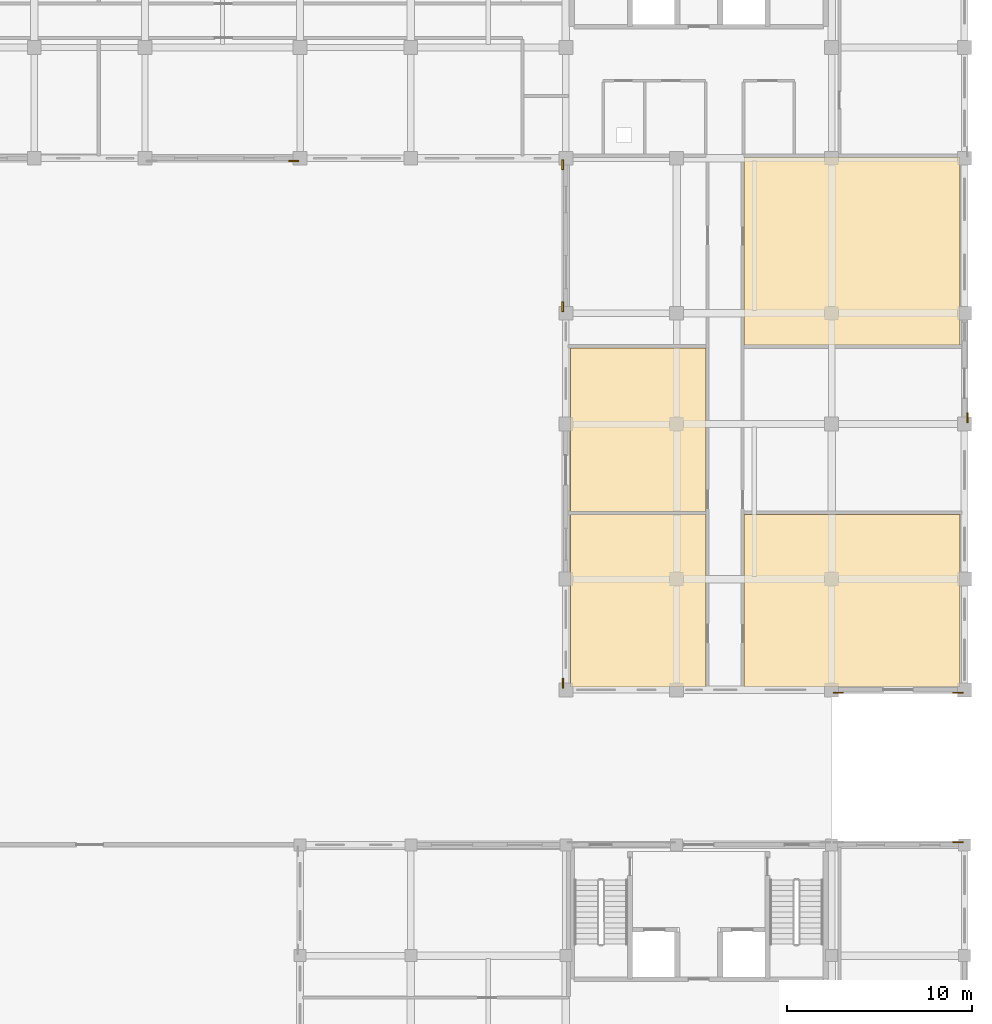
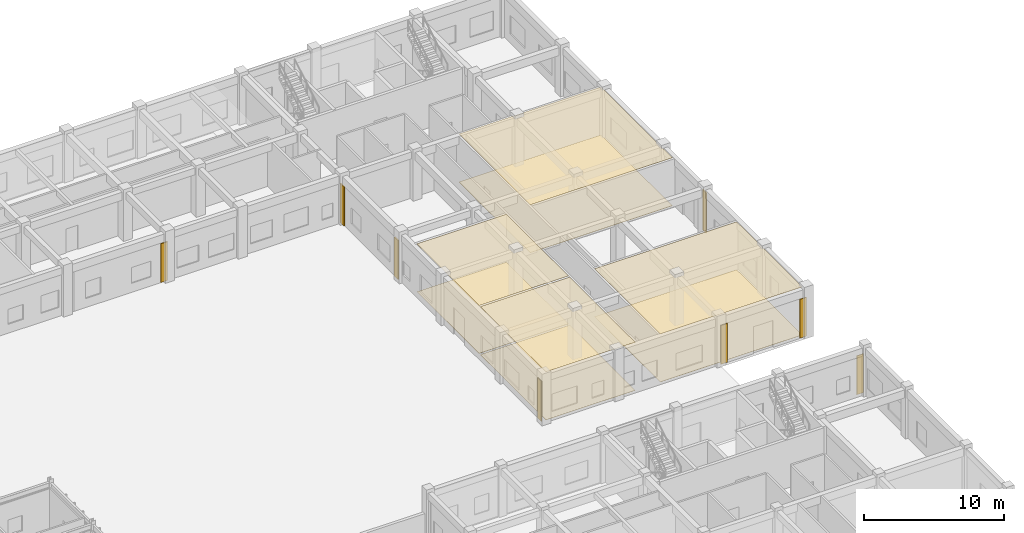
# One storey, part 65 of 67: 16 coverings.
"""IFC4 building model written with IfcOpenShell, lengths in metres."""

from ifc_helpers import new_model, si_unit, direction, frame, origin, origin_2d, place, context, subcontext, project, spatial, polyline, rectangle, outline, extrude, material, layer, layer_set, type_object, element, save


model = new_model("IFC4")

# Units and contexts
model_context = context("Model", 3, precision=1e-05, world=origin(), true_north=direction((0.0, 1.0)))
body_context = subcontext(model_context, "Body", "Model", "MODEL_VIEW")
ifc_project = project(units=[si_unit("LENGTHUNIT", "METRE"), si_unit("AREAUNIT", "SQUARE_METRE"), si_unit("VOLUMEUNIT", "CUBIC_METRE"), si_unit("PLANEANGLEUNIT", "RADIAN"), si_unit("MASSUNIT", "GRAM", prefix="KILO"), si_unit("THERMODYNAMICTEMPERATUREUNIT", "KELVIN")], contexts=[model_context])

# Site, building, storey
site_placement = place(None, origin())
site = spatial("IfcSite", under=ifc_project, at=site_placement, CompositionType="ELEMENT")
building_placement = place(site_placement, origin())
building = spatial("IfcBuilding", under=site, at=building_placement, Name="Thalorik Housing Commons", CompositionType="ELEMENT")
storey_placement = place(building_placement, origin())
storey = spatial("IfcBuildingStorey", under=building, at=storey_placement, Name="L00", CompositionType="ELEMENT", Elevation=0.0)

# Coverings
ifc_material_1 = material(Name="Cobalt blue glazed ceramic facade tile panel", Category="masonry")
ifc_layer_1 = layer(ifc_material_1, 0.06005859375, Name="Cobalt blue glazed ceramic facade tile panel", Category="masonry")
ifc_layer_set_1 = layer_set([ifc_layer_1], Name="Cobalt blue glazed ceramic facade tile panel")
covering_type_1 = type_object("IfcCoveringType", Name="ARC-CLD-BLU-60", PredefinedType="CLADDING", material=ifc_layer_set_1)
covering_1_placement = place(storey_placement, frame((137.64990234375, 109.050537109375, 0.0498046875), z_axis=(0.0, 0.0, 1.0), x_axis=(1.0, 0.0, 0.0)))
element("IfcCovering", 1, at=covering_1_placement, inside=storey, type_object=covering_type_1, Name="L00 Architectural Facade Cladding 1490", PredefinedType="CLADDING", context=body_context, shape_type="SweptSolid", body=[
    extrude(rectangle(XDim=0.550048828125, YDim=0.06005859375, at=origin_2d()), origin(), (0.0, 0.0, 1.0), 3.385009765625),
])
ifc_material_2 = material(Name="Precast concrete C40/50", Category="concrete")
ifc_layer_2 = layer(ifc_material_2, 0.074951171875, Name="Precast concrete C40/50", Category="concrete")
ifc_layer_set_2 = layer_set([ifc_layer_2], Name="Precast concrete C40/50")
covering_type_2 = type_object("IfcCoveringType", Name="ARC-CLD-PIER-75", PredefinedType="CLADDING", material=ifc_layer_set_2)
covering_2_placement = place(storey_placement, frame((174.156982421875, 95.14990234375, 0.0498046875), z_axis=(0.0, 0.0, 1.0), x_axis=(0.0, 1.0, 0.0)))
element("IfcCovering", 2, at=covering_2_placement, inside=storey, type_object=covering_type_2, Name="L00 Architectural Facade Cladding 1496", PredefinedType="CLADDING", context=body_context, shape_type="SweptSolid", body=[
    extrude(rectangle(XDim=0.550048828125, YDim=0.074951171875, at=origin_2d()), origin(), (0.0, 0.0, 1.0), 3.485107421875),
])
ifc_layer_3 = layer(ifc_material_2, 0.090087890625, Name="Precast concrete C40/50", Category="concrete")
ifc_layer_set_3 = layer_set([ifc_layer_3], Name="Precast concrete C40/50")
covering_type_3 = type_object("IfcCoveringType", Name="ARC-CLD-PIER-90", PredefinedType="CLADDING", material=ifc_layer_set_3)
for number, where, z_axis, x_axis, name in (
    (3, (152.235595703125, 108.85009765625, 0.0498046875), (0.0, 0.0, 1.0), (0.0, -1.0, 0.0), "L00 Architectural Facade Cladding 1491"),
    (4, (152.235595703125, 101.14990234375, 0.0498046875), (0.0, 0.0, 1.0), (0.0, -1.0, 0.0), "L00 Architectural Facade Cladding 1492"),
):
    element("IfcCovering", number, at=place(storey_placement, frame(where, z_axis=z_axis, x_axis=x_axis)), inside=storey, type_object=covering_type_3, Name=name, PredefinedType="CLADDING", context=body_context, shape_type="SweptSolid", body=[
        extrude(rectangle(XDim=0.550048828125, YDim=0.090087890625, at=origin_2d()), origin(), (0.0, 0.0, 1.0), 3.385009765625),
    ])
ifc_material_3 = material(Name="Terracotta red mineral fibre-cement panel", Category="masonry")
ifc_layer_4 = layer(ifc_material_3, 0.054931640625, Name="Terracotta red mineral fibre-cement panel", Category="masonry")
ifc_layer_set_4 = layer_set([ifc_layer_4], Name="Terracotta red mineral fibre-cement panel")
covering_type_4 = type_object("IfcCoveringType", Name="ARC-CLD-RED-55", PredefinedType="CLADDING", material=ifc_layer_set_4)
for number, where, z_axis, x_axis, name in (
    (5, (167.14990234375, 80.2529296875, 0.0498046875), (0.0, 0.0, 1.0), (1.0, 0.0, 0.0), "L00 Architectural Facade Cladding 1494"),
    (6, (173.64990234375, 80.2529296875, 0.0498046875), (0.0, 0.0, 1.0), (1.0, 0.0, 0.0), "L00 Architectural Facade Cladding 1495"),
    (7, (173.64990234375, 72.136962890625, 0.0498046875), (0.0, 0.0, 1.0), (-1.0, 0.0, 0.0), "L00 Architectural Facade Cladding 4535"),
):
    element("IfcCovering", number, at=place(storey_placement, frame(where, z_axis=z_axis, x_axis=x_axis)), inside=storey, type_object=covering_type_4, Name=name, PredefinedType="CLADDING", context=body_context, shape_type="SweptSolid", body=[
        extrude(rectangle(XDim=0.550048828125, YDim=0.054931640625, at=origin_2d()), origin(), (0.0, 0.0, 1.0), 3.385009765625),
    ])
ifc_material_4 = material(Name="Mineral ochre architectural terracotta panel", Category="masonry")
ifc_layer_5 = layer(ifc_material_4, 0.06494140625, Name="Mineral ochre architectural terracotta panel", Category="masonry")
ifc_layer_set_5 = layer_set([ifc_layer_5], Name="Mineral ochre architectural terracotta panel")
covering_type_5 = type_object("IfcCoveringType", Name="ARC-CLD-YEL-65", PredefinedType="CLADDING", material=ifc_layer_set_5)
covering_3_placement = place(storey_placement, frame((152.248046875, 80.75, 0.0498046875), z_axis=(0.0, 0.0, 1.0), x_axis=(0.0, -1.0, 0.0)))
element("IfcCovering", 8, at=covering_3_placement, inside=storey, type_object=covering_type_5, Name="L00 Architectural Facade Cladding 1493", PredefinedType="CLADDING", context=body_context, shape_type="SweptSolid", body=[
    extrude(rectangle(XDim=0.550048828125, YDim=0.06494140625, at=origin_2d()), origin(), (0.0, 0.0, 1.0), 3.485107421875),
])
ifc_material_5 = material(Name="Mineral fibre acoustic ceiling tile")
ifc_layer_6 = layer(ifc_material_5, 0.01806640625, Name="Mineral fibre acoustic ceiling tile")
ifc_layer_set_6 = layer_set([ifc_layer_6], Name="Mineral fibre acoustic ceiling tile")
covering_type_6 = type_object("IfcCoveringType", Name="ARC-COV-CEIL-02", PredefinedType="CEILING", material=ifc_layer_set_6)
covering_4_placement = place(storey_placement, frame((0.0, 0.0, 4.181884765625)))
element("IfcCovering", 9, at=covering_4_placement, inside=storey, type_object=covering_type_6, Name="L00 Residents Lounge Suspended Ceiling", PredefinedType="CEILING", context=body_context, shape_type="SweptSolid", body=[
    extrude(outline(polyline([(160.0, 89.909912109375), (152.639892578125, 89.909912109375), (152.639892578125, 80.5400390625), (160.0, 80.5400390625), (160.0, 89.909912109375)])), origin(), (0.0, 0.0, 1.0), 0.01806640625),
])
ifc_material_6 = material(Name="Slatted timber acoustic hall baffle ceiling", Category="wood")
ifc_layer_7 = layer(ifc_material_6, 0.02197265625, Name="Slatted timber acoustic hall baffle ceiling", Category="wood")
ifc_layer_set_7 = layer_set([ifc_layer_7], Name="Slatted timber acoustic hall baffle ceiling")
covering_type_7 = type_object("IfcCoveringType", Name="ARC-COV-CEIL-03", PredefinedType="CEILING", material=ifc_layer_set_7)
covering_5_placement = place(storey_placement, frame((0.0, 0.0, 4.177978515625)))
element("IfcCovering", 10, at=covering_5_placement, inside=storey, type_object=covering_type_7, Name="L00 Residents Cooperative Library Suspended Ceiling", PredefinedType="CEILING", context=body_context, shape_type="SweptSolid", body=[
    extrude(outline(polyline([(173.760009765625, 89.909912109375), (162.06005859375, 89.909912109375), (162.06005859375, 80.5400390625), (173.760009765625, 80.5400390625), (173.760009765625, 89.909912109375)])), origin(), (0.0, 0.0, 1.0), 0.02197265625),
])
ifc_material_7 = material(Name="Moisture-resistant gypsum bathroom ceiling")
ifc_layer_8 = layer(ifc_material_7, 0.02490234375, Name="Moisture-resistant gypsum bathroom ceiling")
ifc_layer_set_8 = layer_set([ifc_layer_8], Name="Moisture-resistant gypsum bathroom ceiling")
covering_type_8 = type_object("IfcCoveringType", Name="ARC-COV-CEIL-04", PredefinedType="CEILING", material=ifc_layer_set_8)
covering_6_placement = place(storey_placement, frame((0.0, 0.0, 4.175048828125)))
element("IfcCovering", 11, at=covering_6_placement, inside=storey, type_object=covering_type_8, Name="L00 Bicycle Repair Workshop Suspended Ceiling", PredefinedType="CEILING", context=body_context, shape_type="SweptSolid", body=[
    extrude(outline(polyline([(160.0, 98.929931640625), (152.639892578125, 98.929931640625), (152.639892578125, 90.070068359375), (160.0, 90.070068359375), (160.0, 98.929931640625)])), origin(), (0.0, 0.0, 1.0), 0.02490234375),
])
ifc_material_8 = material(Name="Fire-rated calcium silicate corridor ceiling")
ifc_layer_9 = layer(ifc_material_8, 0.030029296875, Name="Fire-rated calcium silicate corridor ceiling")
ifc_layer_set_9 = layer_set([ifc_layer_9], Name="Fire-rated calcium silicate corridor ceiling")
covering_type_9 = type_object("IfcCoveringType", Name="ARC-COV-CEIL-05", PredefinedType="CEILING", material=ifc_layer_set_9)
covering_7_placement = place(storey_placement, frame((0.0, 0.0, 4.169921875)))
element("IfcCovering", 12, at=covering_7_placement, inside=storey, type_object=covering_type_9, Name="L00 Senior Day Lounge Suspended Ceiling", PredefinedType="CEILING", context=body_context, shape_type="SweptSolid", body=[
    extrude(outline(polyline([(173.760009765625, 109.260009765625), (162.06005859375, 109.260009765625), (162.06005859375, 99.090087890625), (173.760009765625, 99.090087890625), (173.760009765625, 109.260009765625)])), origin(), (0.0, 0.0, 1.0), 0.030029296875),
])
ifc_material_9 = material(Name="Slip-resistant quarry terracotta corridor tile", Category="masonry")
ifc_layer_10 = layer(ifc_material_9, 0.01611328125, Name="Slip-resistant quarry terracotta corridor tile", Category="masonry")
ifc_layer_set_10 = layer_set([ifc_layer_10], Name="Slip-resistant quarry terracotta corridor tile")
covering_type_10 = type_object("IfcCoveringType", Name="ARC-COV-FLR-02", PredefinedType="FLOORING", material=ifc_layer_set_10)
covering_8_placement = place(storey_placement, origin())
element("IfcCovering", 13, at=covering_8_placement, inside=storey, type_object=covering_type_10, Name="L00 Residents Lounge Flooring", PredefinedType="FLOORING", context=body_context, shape_type="SweptSolid", body=[
    extrude(outline(polyline([(160.0, 89.909912109375), (152.639892578125, 89.909912109375), (152.639892578125, 80.5400390625), (160.0, 80.5400390625), (160.0, 89.909912109375)])), origin(), (0.0, 0.0, 1.0), 0.01611328125),
])
ifc_material_10 = material(Name="Cushioned natural linoleum nursery playroom flooring")
ifc_layer_11 = layer(ifc_material_10, 0.02001953125, Name="Cushioned natural linoleum nursery playroom flooring")
ifc_layer_set_11 = layer_set([ifc_layer_11], Name="Cushioned natural linoleum nursery playroom flooring")
covering_type_11 = type_object("IfcCoveringType", Name="ARC-COV-FLR-03", PredefinedType="FLOORING", material=ifc_layer_set_11)
covering_9_placement = place(storey_placement, origin())
element("IfcCovering", 14, at=covering_9_placement, inside=storey, type_object=covering_type_11, Name="L00 Residents Cooperative Library Flooring", PredefinedType="FLOORING", context=body_context, shape_type="SweptSolid", body=[
    extrude(outline(polyline([(173.760009765625, 89.909912109375), (162.06005859375, 89.909912109375), (162.06005859375, 80.5400390625), (173.760009765625, 80.5400390625), (173.760009765625, 89.909912109375)])), origin(), (0.0, 0.0, 1.0), 0.02001953125),
])
ifc_material_11 = material(Name="Sprung Brazilian oak assembly hall timber floor", Category="wood")
ifc_layer_12 = layer(ifc_material_11, 0.02392578125, Name="Sprung Brazilian oak assembly hall timber floor", Category="wood")
ifc_layer_set_12 = layer_set([ifc_layer_12], Name="Sprung Brazilian oak assembly hall timber floor")
covering_type_12 = type_object("IfcCoveringType", Name="ARC-COV-FLR-04", PredefinedType="FLOORING", material=ifc_layer_set_12)
covering_10_placement = place(storey_placement, origin())
element("IfcCovering", 15, at=covering_10_placement, inside=storey, type_object=covering_type_12, Name="L00 Bicycle Repair Workshop Flooring", PredefinedType="FLOORING", context=body_context, shape_type="SweptSolid", body=[
    extrude(outline(polyline([(160.0, 98.929931640625), (152.639892578125, 98.929931640625), (152.639892578125, 90.070068359375), (160.0, 90.070068359375), (160.0, 98.929931640625)])), origin(), (0.0, 0.0, 1.0), 0.02392578125),
])
ifc_material_12 = material(Name="Heavy-duty porcelain metro vestibule tile")
ifc_layer_13 = layer(ifc_material_12, 0.028076171875, Name="Heavy-duty porcelain metro vestibule tile")
ifc_layer_set_13 = layer_set([ifc_layer_13], Name="Heavy-duty porcelain metro vestibule tile")
covering_type_13 = type_object("IfcCoveringType", Name="ARC-COV-FLR-05", PredefinedType="FLOORING", material=ifc_layer_set_13)
covering_11_placement = place(storey_placement, origin())
element("IfcCovering", 16, at=covering_11_placement, inside=storey, type_object=covering_type_13, Name="L00 Senior Day Lounge Flooring", PredefinedType="FLOORING", context=body_context, shape_type="SweptSolid", body=[
    extrude(outline(polyline([(173.760009765625, 109.260009765625), (162.06005859375, 109.260009765625), (162.06005859375, 99.090087890625), (173.760009765625, 99.090087890625), (173.760009765625, 109.260009765625)])), origin(), (0.0, 0.0, 1.0), 0.028076171875),
])

save(model, "model.ifc")
